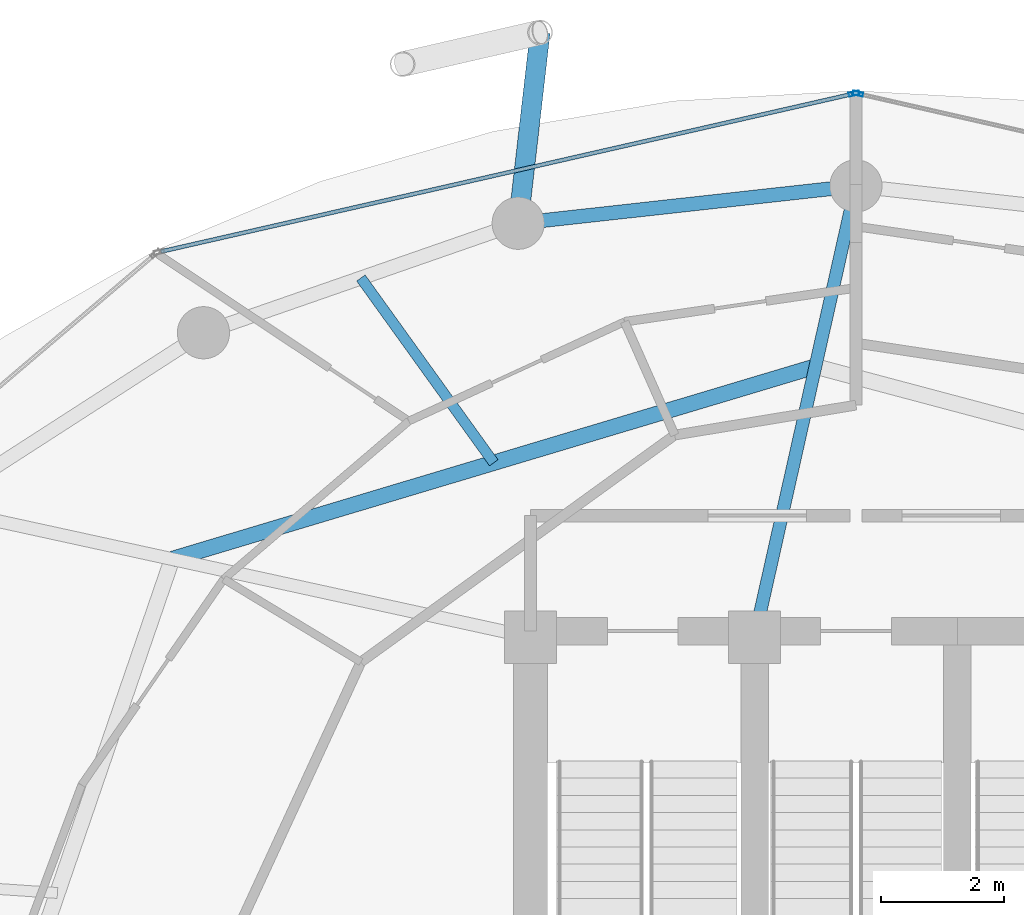
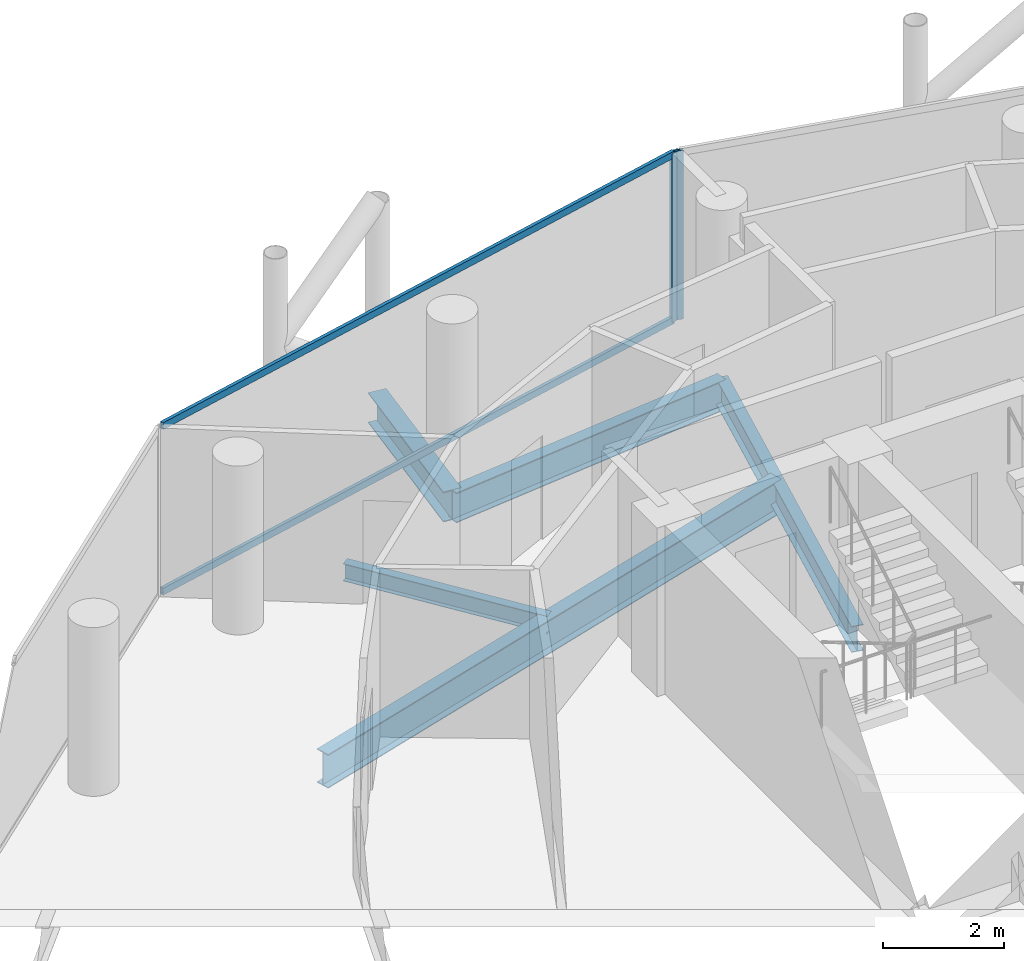
# One storey, part 19 of 27: 5 beams, 4 members, 2 elements without a shape of their own.
"""IFC4 building model written with IfcOpenShell, lengths in metres."""

import ifcopenshell
import ifcopenshell.guid

model = None  # the IFC model being written
_history = None  # IfcOwnerHistory: only IFC2X3 demands one
_inside = {}  # id of a spatial element -> (the spatial element, [elements in it])
_under = {}  # id of a project, library or spatial element -> (it, [spatial elements below it])
_declared = {}  # id of a project -> (the project, [libraries it declares])
_typed = {}  # id of a type object -> (the type object, [elements of that type])
_made_of = {}  # id of a material, layer set ... -> (it, [elements and type objects made of it])


def new_model(schema):
    """Start an empty IFC model of exactly this schema.

    Asked for "IFC4X3", IfcOpenShell would pick the latest addendum, in which some entities
    have other attributes; the version numbers below select the first issue.
    IFC2X3 requires an IfcOwnerHistory on every rooted entity: one is made here for all.
    """
    global model, _history
    if schema == "IFC4X3":
        model = ifcopenshell.file(schema_version=(4, 3, 0, 0))
    else:
        model = ifcopenshell.file(schema=schema)
    _inside.clear()
    _under.clear()
    _declared.clear()
    _typed.clear()
    _made_of.clear()
    _history = None
    if model.schema == "IFC2X3":
        org = make("IfcOrganization", Name="unknown")
        user = make(
            "IfcPersonAndOrganization",
            ThePerson=make("IfcPerson", FamilyName="unknown"),
            TheOrganization=org,
        )
        app = make(
            "IfcApplication",
            ApplicationDeveloper=org,
            Version="unknown",
            ApplicationFullName="unknown",
            ApplicationIdentifier="unknown",
        )
        _history = make(
            "IfcOwnerHistory",
            OwningUser=user,
            OwningApplication=app,
            ChangeAction="ADDED",
            CreationDate=0,
        )
    return model


def make(cls, **values):
    """One entity of the class cls with the attributes given. An attribute that is None is left unset."""
    return model.create_entity(
        cls, **{name: value for name, value in values.items() if value is not None}
    )


def rooted(cls, **values):
    """An entity with a GlobalId (a new one), such as an element, a storey or a relation."""
    return make(cls, GlobalId=ifcopenshell.guid.new(), OwnerHistory=_history, **values)


def si_unit(unit_type, name, prefix=None):
    """IfcSIUnit, for example si_unit("LENGTHUNIT", "METRE", prefix="MILLI")."""
    return make("IfcSIUnit", UnitType=unit_type, Prefix=prefix, Name=name)


def assignment(units):
    """IfcUnitAssignment: the units of a project."""
    return None if units is None else make("IfcUnitAssignment", Units=units)


def point(xyz):
    """IfcCartesianPoint."""
    return None if xyz is None else make("IfcCartesianPoint", Coordinates=xyz)


def direction(xyz):
    """IfcDirection."""
    return None if xyz is None else make("IfcDirection", DirectionRatios=xyz)


def frame(location, z_axis=None, x_axis=None):
    """IfcAxis2Placement3D, a coordinate frame: its origin and axes. An axis left out is left unset."""
    return make(
        "IfcAxis2Placement3D",
        Location=point(location),
        Axis=direction(z_axis),
        RefDirection=direction(x_axis),
    )


def frame_2d(location, x_axis=None):
    """IfcAxis2Placement2D, a coordinate frame in the plane: its origin and x axis."""
    return make(
        "IfcAxis2Placement2D", Location=point(location), RefDirection=direction(x_axis)
    )


def origin():
    """The frame at (0, 0, 0) with its axes left unset."""
    return frame((0.0, 0.0, 0.0))


def origin_2d():
    """The frame at (0, 0) in the plane with its x axis left unset."""
    return frame_2d((0.0, 0.0))


def place(relative_to, where):
    """IfcLocalPlacement: puts the frame where relative to a parent placement (None: the world)."""
    return make(
        "IfcLocalPlacement", PlacementRelTo=relative_to, RelativePlacement=where
    )


def context(
    kind, dimensions, precision=None, world=None, true_north=None, identifier=None
):
    """IfcGeometricRepresentationContext, for example the 3D "Model" context."""
    return make(
        "IfcGeometricRepresentationContext",
        ContextIdentifier=identifier,
        ContextType=kind,
        CoordinateSpaceDimension=dimensions,
        Precision=precision,
        WorldCoordinateSystem=world,
        TrueNorth=true_north,
    )


def subcontext(parent, identifier, kind, view, scale=None):
    """IfcGeometricRepresentationSubContext, for example "Body" below "Model"."""
    return make(
        "IfcGeometricRepresentationSubContext",
        ContextIdentifier=identifier,
        ContextType=kind,
        ParentContext=parent,
        TargetScale=scale,
        TargetView=view,
    )


def project(units=None, contexts=None):
    """IfcProject with its units and contexts."""
    return rooted(
        "IfcProject",
        Name="project",
        RepresentationContexts=contexts,
        UnitsInContext=assignment(units),
    )


def spatial(cls, under=None, at=None, **own):
    """A site, building, storey or space (cls), placed at a placement, below another one or the project."""
    s = rooted(cls, ObjectPlacement=at, **own)
    if under is not None:
        _under.setdefault(under.id(), (under, []))[1].append(s)
    return s


def profile(cls, at=None, kind="AREA", **sizes):
    """A parametric profile (cls). Its sizes go by their IFC names, for example OverallWidth=200.0."""
    return make(cls, ProfileType=kind, Position=at, **sizes)


def hollow_rectangle(**sizes):
    """IfcRectangleHollowProfileDef."""
    return profile("IfcRectangleHollowProfileDef", **sizes)


def i_section(**sizes):
    """IfcIShapeProfileDef."""
    return profile("IfcIShapeProfileDef", **sizes)


def extrude(swept, where, along, depth):
    """IfcExtrudedAreaSolid: the profile swept, set in the frame where, extruded along a direction by depth."""
    return make(
        "IfcExtrudedAreaSolid",
        SweptArea=swept,
        Position=where,
        ExtrudedDirection=direction(along),
        Depth=depth,
    )


def shape(context_of_items, identifier, shape_type, items):
    """IfcShapeRepresentation: the items that make up one representation, for example the "Body"."""
    return make(
        "IfcShapeRepresentation",
        ContextOfItems=context_of_items,
        RepresentationIdentifier=identifier,
        RepresentationType=shape_type,
        Items=items,
    )


def material(Name=None, Category=None):
    """IfcMaterial."""
    return make("IfcMaterial", Name=Name, Category=Category)


def layer(
    of_material, thickness, ventilated=None, Name=None, Category=None, Priority=None
):
    """IfcMaterialLayer: one layer of a wall or slab, of a material (None: an air gap)."""
    return make(
        "IfcMaterialLayer",
        Material=of_material,
        LayerThickness=thickness,
        IsVentilated=ventilated,
        Name=Name,
        Category=Category,
        Priority=Priority,
    )


def layer_set(layers, Name=None):
    """IfcMaterialLayerSet."""
    return make("IfcMaterialLayerSet", MaterialLayers=layers, LayerSetName=Name)


def material_profile(
    of_material, cross_section, Name=None, Category=None, Priority=None
):
    """IfcMaterialProfile: a cross section and its material."""
    return make(
        "IfcMaterialProfile",
        Name=Name,
        Material=of_material,
        Profile=cross_section,
        Priority=Priority,
        Category=Category,
    )


def profile_set(profiles, Name=None, composite=None):
    """IfcMaterialProfileSet."""
    return make(
        "IfcMaterialProfileSet",
        Name=Name,
        MaterialProfiles=profiles,
        CompositeProfile=composite,
    )


def made_of(thing, what):
    """Note that an element or type object is made of a material, layer set ...; save() writes the relation."""
    if what is not None:
        _made_of.setdefault(what.id(), (what, []))[1].append(thing)
    return thing


def type_object(cls, material=None, **own):
    """A type object (cls), such as IfcWallType, which elements share."""
    return made_of(rooted(cls, **own), material)


def element(
    cls,
    number,
    at=None,
    inside=None,
    cuts=None,
    type_object=None,
    material=None,
    context=None,
    identifier="Body",
    shape_type=None,
    held_by="IfcProductDefinitionShape",
    body=None,
    shapes=None,
    **own,
):
    """One element of the class cls, such as IfcWall. Its Tag is "e" and its number.

    at: its placement. inside: the storey or other place that contains it. cuts: it is an
    opening in that element (IfcRelVoidsElement). A single representation is given by context,
    identifier, shape_type and body (its items); several are given by shapes. held_by: the class
    of the entity that holds the representations. save() writes the other relations.
    """
    e = rooted(cls, Tag="e%d" % number, ObjectPlacement=at, **own)
    if body is not None:
        shapes = [shape(context, identifier, shape_type, body)]
    if shapes is not None:
        e.Representation = make(held_by, Representations=shapes)
    if inside is not None:
        _inside.setdefault(inside.id(), (inside, []))[1].append(e)
    if cuts is not None:
        rooted(
            "IfcRelVoidsElement", RelatingBuildingElement=cuts, RelatedOpeningElement=e
        )
    if type_object is not None:
        _typed.setdefault(type_object.id(), (type_object, []))[1].append(e)
    return made_of(e, material)


def aggregate(whole, parts):
    """IfcRelAggregates: a whole, such as a stair, and the parts it consists of."""
    return rooted("IfcRelAggregates", RelatingObject=whole, RelatedObjects=parts)


def save(model, path):
    """Write the relations noted so far, then the file.

    IfcRelAggregates (storeys below a building ...), IfcRelContainedInSpatialStructure (elements
    in a storey), IfcRelDefinesByType, IfcRelAssociatesMaterial and IfcRelDeclares: one each for
    every whole, place, type object, material and project.
    """
    for whole, parts in _under.values():
        aggregate(whole, parts)
    for where, things in _inside.values():
        rooted(
            "IfcRelContainedInSpatialStructure",
            RelatedElements=things,
            RelatingStructure=where,
        )
    for kind, things in _typed.values():
        rooted("IfcRelDefinesByType", RelatedObjects=things, RelatingType=kind)
    for what, things in _made_of.values():
        rooted("IfcRelAssociatesMaterial", RelatedObjects=things, RelatingMaterial=what)
    for by, libraries in _declared.values():
        rooted("IfcRelDeclares", RelatingContext=by, RelatedDefinitions=libraries)
    model.write(path)


model = new_model("IFC4")

# Units and contexts
model_context = context("Model", 3, precision=1e-05, world=origin(), true_north=direction((0.0, 1.0)))
body_context = subcontext(model_context, "Body", "Model", "MODEL_VIEW")
ifc_project = project(units=[si_unit("LENGTHUNIT", "METRE"), si_unit("AREAUNIT", "SQUARE_METRE"), si_unit("VOLUMEUNIT", "CUBIC_METRE"), si_unit("PLANEANGLEUNIT", "RADIAN"), si_unit("MASSUNIT", "GRAM", prefix="KILO")], contexts=[model_context])

# Site, building, storey
site_placement = place(None, origin())
site = spatial("IfcSite", under=ifc_project, at=site_placement, CompositionType="ELEMENT")
building_placement = place(site_placement, origin())
building = spatial("IfcBuilding", under=site, at=building_placement, Name="Nuhasar Tower", CompositionType="ELEMENT")
storey_placement = place(building_placement, frame((0.0, 0.0, 230.050048828125)))
storey = spatial("IfcBuildingStorey", under=building, at=storey_placement, Name="L56", CompositionType="ELEMENT", Elevation=230.050048828125)

# Beams
ifc_material_1 = material(Name="Steel S355", Category="steel")
ifc_material_profile_1 = material_profile(ifc_material_1, i_section(OverallWidth=0.25390625, OverallDepth=0.68408203125, WebThickness=0.012451171875, FlangeThickness=0.018798828125, at=origin_2d()), Name="W27X94")
ifc_profile_set_1 = profile_set([ifc_material_profile_1], Name="Steel S355")
beam_type_1 = type_object("IfcBeamType", Name="BM-INRING-W27X94", PredefinedType="BEAM", material=ifc_profile_set_1)
beam_1_placement = place(storey_placement, frame((38.340087890625, 41.7099609375, -0.58203125), z_axis=(-0.957973628187, -0.28685628405, 0.0), x_axis=(0.28685628405, -0.957973628187, 0.0)))
element("IfcBeam", 1, at=beam_1_placement, inside=storey, type_object=beam_type_1, Name="L56 Inner Header Beam 06", PredefinedType="BEAM", context=body_context, shape_type="SweptSolid", body=[
    extrude(i_section(OverallWidth=0.25390625, OverallDepth=0.68408203125, WebThickness=0.012451171875, FlangeThickness=0.018798828125, at=origin_2d()), origin(), (0.0, 0.0, 1.0), 10.935546875),
])
ifc_material_profile_2 = material_profile(ifc_material_1, i_section(OverallWidth=0.1708984375, OverallDepth=0.35205078125, WebThickness=0.0068359375, FlangeThickness=0.009765625, at=origin_2d()), Name="W14X30")
ifc_profile_set_2 = profile_set([ifc_material_profile_2], Name="Steel S355")
beam_type_2 = type_object("IfcBeamType", Name="BM-JST-W14X30", PredefinedType="JOIST", material=ifc_profile_set_2)
beam_2_placement = place(storey_placement, frame((33.10205078125, 40.14208984375, -0.416015625), z_axis=(-0.58390205555, 0.811824112431, 0.0), x_axis=(-0.811824112431, -0.58390205555, 0.0)))
element("IfcBeam", 2, at=beam_2_placement, inside=storey, type_object=beam_type_2, Name="L56 Secondary Floor Joist 06", PredefinedType="JOIST", context=body_context, shape_type="SweptSolid", body=[
    extrude(i_section(OverallWidth=0.1708984375, OverallDepth=0.35205078125, WebThickness=0.0068359375, FlangeThickness=0.009765625, at=origin_2d()), origin(), (0.0, 0.0, 1.0), 3.706298828125),
])
ifc_material_profile_3 = material_profile(ifc_material_1, i_section(OverallWidth=0.208984375, OverallDepth=0.528076171875, WebThickness=0.009521484375, FlangeThickness=0.01318359375, at=origin_2d()), Name="W21X55")
ifc_profile_set_3 = profile_set([ifc_material_profile_3], Name="Steel S355")
beam_type_3 = type_object("IfcBeamType", Name="BM-RAD-W21X55", PredefinedType="BEAM", material=ifc_profile_set_3)
beam_3_placement = place(storey_placement, frame((37.35009765625, 37.300048828125, -0.504150390625), z_axis=(0.219030156142, 0.975718089768, 0.0), x_axis=(-0.975718089768, 0.219030156142, 0.0)))
element("IfcBeam", 3, at=beam_3_placement, inside=storey, type_object=beam_type_3, Name="L56 Radial Floor Girder 06", PredefinedType="BEAM", context=body_context, shape_type="SweptSolid", body=[
    extrude(i_section(OverallWidth=0.208984375, OverallDepth=0.528076171875, WebThickness=0.009521484375, FlangeThickness=0.01318359375, at=origin_2d()), origin(), (0.0, 0.0, 1.0), 7.53271484375),
])
ifc_material_profile_4 = material_profile(ifc_material_1, i_section(OverallWidth=0.22802734375, OverallDepth=0.60791015625, WebThickness=0.01123046875, FlangeThickness=0.017333984375, at=origin_2d()), Name="W24X76")
ifc_profile_set_4 = profile_set([ifc_material_profile_4], Name="Steel S355")
beam_type_4 = type_object("IfcBeamType", Name="BM-RING-W24X76", PredefinedType="SPANDREL", material=ifc_profile_set_4)
beam_4_placement = place(storey_placement, frame((39.0, 44.64990234375, -0.5439453125), z_axis=(-0.993947060915, -0.109860093292, 0.0), x_axis=(0.109860093292, -0.993947060915, 0.0)))
element("IfcBeam", 4, at=beam_4_placement, inside=storey, type_object=beam_type_4, Name="L56 Perimeter Ring Spandrel 07", PredefinedType="SPANDREL", context=body_context, shape_type="SweptSolid", body=[
    extrude(i_section(OverallWidth=0.22802734375, OverallDepth=0.60791015625, WebThickness=0.01123046875, FlangeThickness=0.017333984375, at=origin_2d()), origin(), (0.0, 0.0, 1.0), 5.533447265625),
])
ifc_material_profile_5 = material_profile(ifc_material_1, i_section(OverallWidth=0.323974609375, OverallDepth=0.611083984375, WebThickness=0.0126953125, FlangeThickness=0.01904296875, at=origin_2d()), Name="W24X104")
ifc_profile_set_5 = profile_set([ifc_material_profile_5], Name="Steel S355")
beam_type_5 = type_object("IfcBeamType", Name="BM-TIE-W24X104", PredefinedType="BEAM", material=ifc_profile_set_5)
beam_5_placement = place(storey_placement, frame((33.5, 44.0419921875, -0.545166015625), z_axis=(0.114132222314, 0.993465568517, 0.0), x_axis=(-0.993465568517, 0.114132222314, 0.0)))
element("IfcBeam", 5, at=beam_5_placement, inside=storey, type_object=beam_type_5, Name="L56 Exoskeleton Node Tie Beam 04", PredefinedType="BEAM", context=body_context, shape_type="SweptSolid", body=[
    extrude(i_section(OverallWidth=0.323974609375, OverallDepth=0.611083984375, WebThickness=0.0126953125, FlangeThickness=0.01904296875, at=origin_2d()), origin(), (0.0, 0.0, 1.0), 3.12744140625),
])

# Curtain wall, member
ifc_material_2 = material(Name="Aluminium 6063-T6", Category="aluminium")
ifc_layer = layer(ifc_material_2, 0.18994140625)
ifc_layer_set = layer_set([ifc_layer], Name="Aluminium 6063-T6")
curtain_wall_type = type_object("IfcCurtainWallType", Name="CW-Z3-RES", PredefinedType="NOTDEFINED", material=ifc_layer_set)
curtain_wall_1_placement = place(storey_placement, origin())
curtain_wall_1 = element("IfcCurtainWall", 6, at=curtain_wall_1_placement, inside=storey, type_object=curtain_wall_type, Name="L56 Unitised Curtain Wall 03", PredefinedType="NOTDEFINED")
ifc_material_profile_6 = material_profile(ifc_material_2, hollow_rectangle(XDim=0.06494140625, YDim=0.169921875, WallThickness=0.0048828125, at=origin_2d()), Name="CWM-4")
ifc_profile_set_6 = profile_set([ifc_material_profile_6], Name="Aluminium 6063-T6")
member_type_1 = type_object("IfcMemberType", Name="CW-MUL-S4", PredefinedType="MULLION", material=ifc_profile_set_6)
member_1_placement = place(storey_placement, frame((39.03173828125, 46.15283203125, 0.0), z_axis=(0.0, 0.0, 1.0), x_axis=(-0.222243176313, -0.974991266926, 0.0)))
member_1 = element("IfcMember", 7, at=member_1_placement, type_object=member_type_1, Name="CW-Z3 mullion 2", PredefinedType="MULLION", context=body_context, shape_type="SweptSolid", body=[
    extrude(hollow_rectangle(XDim=0.06494140625, YDim=0.169921875, WallThickness=0.0048828125, at=origin_2d()), origin(), (0.0, 0.0, 1.0), 3.409912109375),
])
aggregate(curtain_wall_1, [member_1])

# Curtain wall, members
curtain_wall_2_placement = place(storey_placement, origin())
curtain_wall_2 = element("IfcCurtainWall", 8, at=curtain_wall_2_placement, inside=storey, type_object=curtain_wall_type, Name="L56 Unitised Curtain Wall 04", PredefinedType="NOTDEFINED")
member_2_placement = place(storey_placement, frame((38.96826171875, 46.15283203125, 0.0), z_axis=(0.0, 0.0, 1.0), x_axis=(0.222243176313, -0.974991266926, 0.0)))
member_2 = element("IfcMember", 9, at=member_2_placement, type_object=member_type_1, Name="CW-Z3 mullion 1", PredefinedType="MULLION", context=body_context, shape_type="SweptSolid", body=[
    extrude(hollow_rectangle(XDim=0.06494140625, YDim=0.169921875, WallThickness=0.0048828125, at=origin_2d()), origin(), (0.0, 0.0, 1.0), 3.409912109375),
])
ifc_material_profile_7 = material_profile(ifc_material_2, hollow_rectangle(XDim=0.06494140625, YDim=0.139892578125, WallThickness=0.00439453125, at=origin_2d()), Name="CWT-4")
ifc_profile_set_7 = profile_set([ifc_material_profile_7], Name="Aluminium 6063-T6")
member_type_2 = type_object("IfcMemberType", Name="CW-TRN-S4", PredefinedType="USERDEFINED", material=ifc_profile_set_7)
member_3_placement = place(storey_placement, frame((38.9365234375, 46.1455078125, 0.032470703125), z_axis=(-0.974994070913, -0.222230874732, 0.0), x_axis=(0.222230874732, -0.974994070913, 0.0)))
member_3 = element("IfcMember", 10, at=member_3_placement, type_object=member_type_2, Name="CW-Z3 transom 1.1", ObjectType="TRANSOM", PredefinedType="USERDEFINED", context=body_context, shape_type="SweptSolid", body=[
    extrude(hollow_rectangle(XDim=0.06494140625, YDim=0.139892578125, WallThickness=0.00439453125, at=origin_2d()), origin(), (0.0, 0.0, 1.0), 11.541748046875),
])
member_4_placement = place(storey_placement, frame((38.9365234375, 46.1455078125, 3.37744140625), z_axis=(-0.974994070913, -0.222230874732, 0.0), x_axis=(0.222230874732, -0.974994070913, 0.0)))
member_4 = element("IfcMember", 11, at=member_4_placement, type_object=member_type_2, Name="CW-Z3 transom 1.2", ObjectType="TRANSOM", PredefinedType="USERDEFINED", context=body_context, shape_type="SweptSolid", body=[
    extrude(hollow_rectangle(XDim=0.06494140625, YDim=0.139892578125, WallThickness=0.00439453125, at=origin_2d()), origin(), (0.0, 0.0, 1.0), 11.541748046875),
])
aggregate(curtain_wall_2, [member_2, member_3, member_4])

save(model, "model.ifc")
